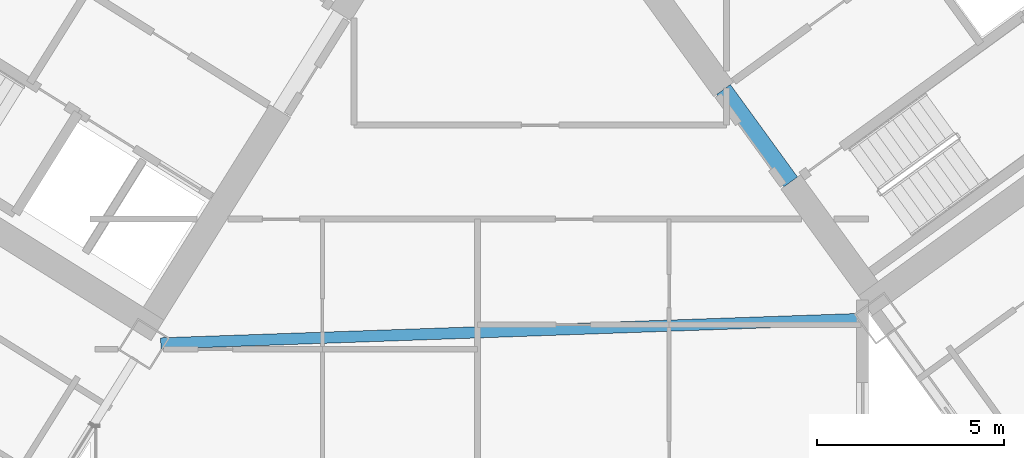
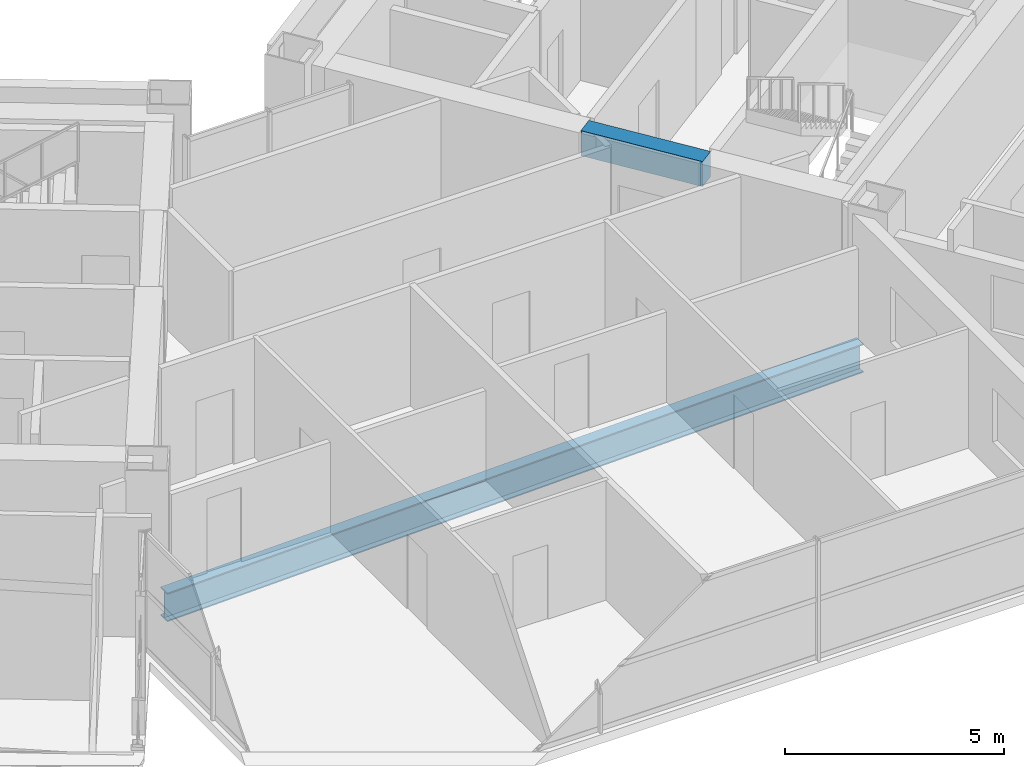
# One storey, part 8 of 24: 2 beams.
"""IFC4 building model written with IfcOpenShell, lengths in metres."""

from ifc_helpers import new_model, si_unit, direction, frame, origin, origin_2d, place, context, subcontext, project, spatial, rectangle, i_section, extrude, source, transform, mapped, material, material_profile, profile_set, type_object, element, save


model = new_model("IFC4")

# Units and contexts
model_context = context("Model", 3, precision=1e-05, world=origin(), true_north=direction((0.0, 1.0)))
body_context = subcontext(model_context, "Body", "Model", "MODEL_VIEW")
ifc_project = project(units=[si_unit("LENGTHUNIT", "METRE"), si_unit("AREAUNIT", "SQUARE_METRE"), si_unit("VOLUMEUNIT", "CUBIC_METRE"), si_unit("PLANEANGLEUNIT", "RADIAN"), si_unit("MASSUNIT", "GRAM", prefix="KILO")], contexts=[model_context])

# Site, building, storey
site_placement = place(None, origin())
site = spatial("IfcSite", under=ifc_project, at=site_placement, CompositionType="ELEMENT")
building_placement = place(site_placement, origin())
building = spatial("IfcBuilding", under=site, at=building_placement, Name="Tlacorven Tower", CompositionType="ELEMENT")
storey_placement = place(building_placement, frame((0.0, 0.0, 60.0)))
storey = spatial("IfcBuildingStorey", under=building, at=storey_placement, Name="L15", CompositionType="ELEMENT", Elevation=60.0)

# Beams
ifc_material_1 = material(Name="Concrete C60/75", Category="concrete")
ifc_material_profile_1 = material_profile(ifc_material_1, rectangle(XDim=0.449951171875, YDim=0.699951171875, at=origin_2d()), Name="RC 450X700")
ifc_profile_set_1 = profile_set([ifc_material_profile_1], Name="Concrete C60/75")
beam_type_1 = type_object("IfcBeamType", Name="BM-LNT-700", PredefinedType="LINTEL", material=ifc_profile_set_1)
shared_shape_1 = source(origin(), body_context, "Body", "SweptSolid", [
    extrude(rectangle(XDim=0.449951171875, YDim=0.699951171875, at=origin_2d()), origin(), (0.0, 0.0, 1.0), 3.050048828125),
])
beam_1_placement = place(storey_placement, frame((50.318359375, 16.416015625, 3.0), z_axis=(-0.587776590479, 0.80902328748, 0.0), x_axis=(-0.80902328748, -0.587776590479, 0.0)))
element("IfcBeam", 1, at=beam_1_placement, inside=storey, type_object=beam_type_1, Name="L15 E core coupling lintel beam E1", PredefinedType="LINTEL", context=body_context, shape_type="MappedRepresentation", body=[
    mapped(shared_shape_1, transform((0.0, 0.0, 0.0), scale=1.0)),
])
ifc_material_2 = material(Name="Steel S355J2", Category="steel")
ifc_material_profile_2 = material_profile(ifc_material_2, i_section(OverallWidth=0.300048828125, OverallDepth=0.800048828125, WebThickness=0.017578125, FlangeThickness=0.032958984375, at=origin_2d()), Name="HEB 800")
ifc_profile_set_2 = profile_set([ifc_material_profile_2], Name="Steel S355J2")
beam_type_2 = type_object("IfcBeamType", Name="BM-POD-800", PredefinedType="BEAM", material=ifc_profile_set_2)
shared_shape_2 = source(origin(), body_context, "Body", "SweptSolid", [
    extrude(i_section(OverallWidth=0.300048828125, OverallDepth=0.800048828125, WebThickness=0.017578125, FlangeThickness=0.032958984375, at=origin_2d()), origin(), (0.0, 0.0, 1.0), 18.771240234375),
])
beam_2_placement = place(storey_placement, frame((33.495849609375, 12.1025390625, -0.64990234375), z_axis=(0.999390514848, 0.034908434954, 0.0), x_axis=(-0.034908434954, 0.999390514848, 0.0)))
element("IfcBeam", 2, at=beam_2_placement, inside=storey, type_object=beam_type_2, Name="L15 Knuckle Link Girder 2", PredefinedType="BEAM", context=body_context, shape_type="MappedRepresentation", body=[
    mapped(shared_shape_2, transform((0.0, 0.0, 0.0), scale=1.0)),
])

save(model, "model.ifc")
